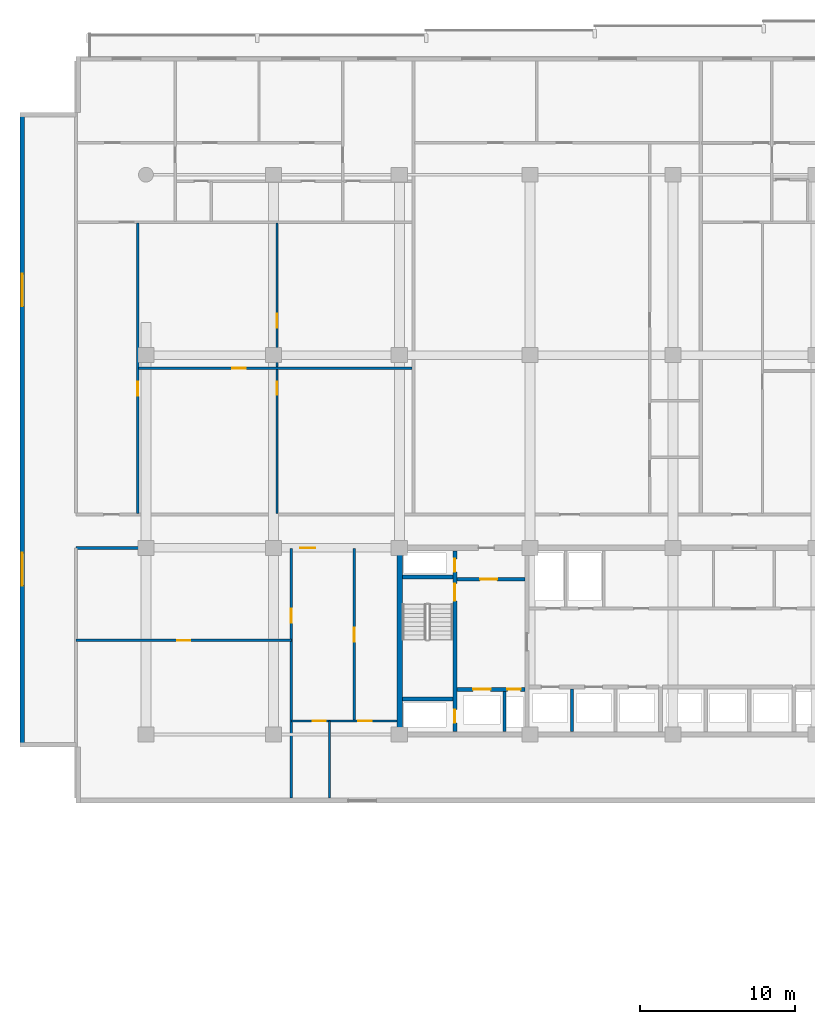
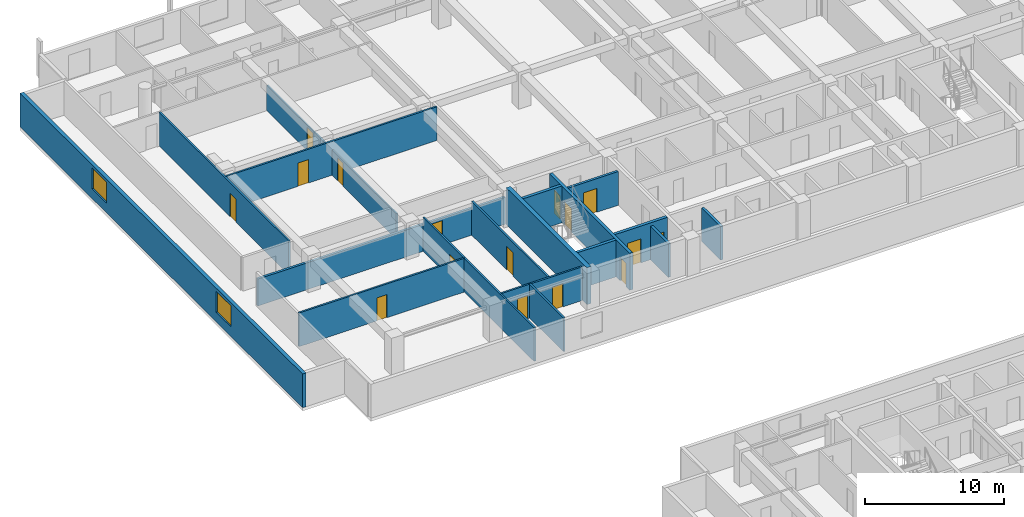
# One storey, part 10 of 23: 18 walls, 16 doors, 2 windows, 18 openings.
"""IFC4 building model written with IfcOpenShell, lengths in metres."""

from ifc_helpers import new_model, si_unit, direction, frame, frame_2d, origin, place, context, subcontext, project, spatial, rectangle, extrude, material, layer, layer_set, type_object, element, fill, save


model = new_model("IFC4")

# Units and contexts
model_context = context("Model", 3, precision=1e-05, world=origin(), true_north=direction((0.0, 1.0)))
body_context = subcontext(model_context, "Body", "Model", "MODEL_VIEW")
ifc_project = project(units=[si_unit("LENGTHUNIT", "METRE"), si_unit("AREAUNIT", "SQUARE_METRE"), si_unit("VOLUMEUNIT", "CUBIC_METRE"), si_unit("PLANEANGLEUNIT", "RADIAN"), si_unit("MASSUNIT", "GRAM", prefix="KILO")], contexts=[model_context])

# Site, building, storey
site_placement = place(None, origin())
site = spatial("IfcSite", under=ifc_project, at=site_placement, CompositionType="ELEMENT")
building_placement = place(site_placement, origin())
building = spatial("IfcBuilding", under=site, at=building_placement, Name="Korimba Cascade Residences", CompositionType="ELEMENT")
storey_placement = place(building_placement, frame((0.0, 0.0, 56.5)))
storey = spatial("IfcBuildingStorey", under=building, at=storey_placement, Name="L15", CompositionType="ELEMENT", Elevation=56.5)

# Wall, openings, windows
ifc_material_1 = material(Name="Precast concrete C40/50", Category="concrete")
ifc_layer_1 = layer(ifc_material_1, 0.300048828125)
ifc_layer_set_1 = layer_set([ifc_layer_1], Name="Precast concrete C40/50")
wall_type_1 = type_object("IfcWallType", Name="EW-STONE-300", PredefinedType="STANDARD", material=ifc_layer_set_1)
wall_1_placement = place(storey_placement, frame((51.85009765625, 95.199951171875, 0.0), z_axis=(0.0, 0.0, 1.0), x_axis=(0.0, -1.0, 0.0)))
wall_1 = element("IfcWall", 1, at=wall_1_placement, inside=storey, type_object=wall_type_1, Name="L15 T1 Perimeter Stone Wall E09", PredefinedType="STANDARD", context=body_context, shape_type="SweptSolid", body=[
    extrude(rectangle(XDim=40.800048828125, YDim=0.300048828125, at=frame_2d((20.39990234375, 0.0))), origin(), (0.0, 0.0, 1.0), 2.969970703125),
])
opening_1_placement = place(wall_1_placement, frame((10.3740234375, 0.0, 0.85009765625)))
opening_1 = element("IfcOpeningElement", 2, at=opening_1_placement, cuts=wall_1, Name="Opening W-03", PredefinedType="OPENING", context=body_context, shape_type="SweptSolid", body=[
    extrude(rectangle(XDim=2.10009765625, YDim=1.85009765625, at=frame_2d((1.050048828125, 0.925048828125))), frame((0.0, 0.16015625, 0.0), z_axis=(0.0, -1.0, 0.0), x_axis=(1.0, 0.0, 0.0)), (0.0, 0.0, 1.0), 0.320068359375),
])
opening_2_placement = place(wall_1_placement, frame((28.325927734375, 0.0, 0.85009765625)))
opening_2 = element("IfcOpeningElement", 3, at=opening_2_placement, cuts=wall_1, Name="Opening W-03", PredefinedType="OPENING", context=body_context, shape_type="SweptSolid", body=[
    extrude(rectangle(XDim=2.10009765625, YDim=1.85009765625, at=frame_2d((1.050048828125, 0.925048828125))), frame((0.0, 0.16015625, 0.0), z_axis=(0.0, -1.0, 0.0), x_axis=(1.0, 0.0, 0.0)), (0.0, 0.0, 1.0), 0.320068359375),
])
ifc_material_2 = material(Name="Double-Glazed Aluminium Window", Category="aluminium")
window_type = type_object("IfcWindowType", Name="WIN-CRN-2100", PartitioningType="DOUBLE_PANEL_HORIZONTAL", PredefinedType="WINDOW", material=ifc_material_2)
window_1_placement = place(opening_1_placement, origin())
window_1 = element("IfcWindow", 4, at=window_1_placement, inside=storey, type_object=window_type, Name="L15 T1 End View Window 9.1", OverallHeight=1.85009765625, OverallWidth=2.10009765625, PartitioningType="DOUBLE_PANEL_HORIZONTAL", PredefinedType="WINDOW", context=body_context, shape_type="SweptSolid", body=[
    extrude(rectangle(XDim=2.10009765625, YDim=1.85009765625, at=frame_2d((1.050048828125, 0.925048828125))), frame((0.0, 0.030029296875, 0.0), z_axis=(0.0, -1.0, 0.0), x_axis=(1.0, 0.0, 0.0)), (0.0, 0.0, 1.0), 0.06005859375),
])
fill(opening_1, window_1)
window_2_placement = place(opening_2_placement, origin())
window_2 = element("IfcWindow", 5, at=window_2_placement, inside=storey, type_object=window_type, Name="L15 T1 End View Window 9.2", OverallHeight=1.85009765625, OverallWidth=2.10009765625, PartitioningType="DOUBLE_PANEL_HORIZONTAL", PredefinedType="WINDOW", context=body_context, shape_type="SweptSolid", body=[
    extrude(rectangle(XDim=2.10009765625, YDim=1.85009765625, at=frame_2d((1.050048828125, 0.925048828125))), frame((0.0, 0.030029296875, 0.0), z_axis=(0.0, -1.0, 0.0), x_axis=(1.0, 0.0, 0.0)), (0.0, 0.0, 1.0), 0.06005859375),
])
fill(opening_2, window_2)

# Wall
ifc_material_3 = material(Name="Concrete C65/80", Category="concrete")
ifc_layer_2 = layer(ifc_material_3, 0.35009765625)
ifc_layer_set_2 = layer_set([ifc_layer_2], Name="Concrete C65/80")
wall_type_2 = type_object("IfcWallType", Name="WAL-CORE-350", PredefinedType="SHEAR", material=ifc_layer_set_2)
wall_2_placement = place(storey_placement, frame((76.125, 55.375, 0.0), z_axis=(0.0, 0.0, 1.0), x_axis=(0.0, 1.0, 0.0)))
element("IfcWall", 6, at=wall_2_placement, inside=storey, type_object=wall_type_2, Name="L15 Core Shear Wall CW-L15-T1-W", PredefinedType="SHEAR", context=body_context, shape_type="SweptSolid", body=[
    extrude(rectangle(XDim=11.64990234375, YDim=0.35009765625, at=frame_2d((5.824951171875, 0.0))), origin(), (0.0, 0.0, 1.0), 3.25),
])

# Wall, opening, door
ifc_layer_3 = layer(ifc_material_1, 0.199951171875)
ifc_layer_set_3 = layer_set([ifc_layer_3], Name="Precast concrete C40/50")
wall_type_3 = type_object("IfcWallType", Name="WAL-IT-200", PredefinedType="PARTITIONING", material=ifc_layer_set_3)
wall_3_placement = place(storey_placement, frame((55.300048828125, 67.199951171875, 0.0), z_axis=(0.0, 0.0, 1.0), x_axis=(1.0, 0.0, 0.0)))
wall_3 = element("IfcWall", 7, at=wall_3_placement, inside=storey, type_object=wall_type_3, Name="L15 Partition Wall WAL-L15-T1-FW-N", PredefinedType="PARTITIONING", context=body_context, shape_type="SweptSolid", body=[
    extrude(rectangle(XDim=20.64990234375, YDim=0.199951171875, at=frame_2d((10.324951171875, 0.0))), origin(), (0.0, 0.0, 1.0), 2.3701171875),
])
opening_3_placement = place(wall_3_placement, frame((14.426025390625, 0.0, 0.0)))
opening_3 = element("IfcOpeningElement", 8, at=opening_3_placement, cuts=wall_3, Name="Opening D-UN1", PredefinedType="OPENING", context=body_context, shape_type="SweptSolid", body=[
    extrude(rectangle(XDim=0.949951171875, YDim=2.14990234375, at=frame_2d((0.47509765625, 1.074951171875))), frame((0.0, 0.10986328125, 0.0), z_axis=(0.0, -1.0, 0.0), x_axis=(1.0, 0.0, 0.0)), (0.0, 0.0, 1.0), 0.219970703125),
])
ifc_material_4 = material(Name="Fire-Rated Hardwood Apartment Entrance Door", Category="wood")
door_type_1 = type_object("IfcDoorType", Name="DR-FD60-950", OperationType="NOTDEFINED", PredefinedType="DOOR", material=ifc_material_4)
door_1_placement = place(opening_3_placement, origin())
door_1 = element("IfcDoor", 9, at=door_1_placement, inside=storey, type_object=door_type_1, Name="L15-T1-FW Entrance Door", OperationType="SINGLE_SWING_LEFT", OverallHeight=2.14990234375, OverallWidth=0.949951171875, PredefinedType="DOOR", context=body_context, shape_type="SweptSolid", body=[
    extrude(rectangle(XDim=0.949951171875, YDim=2.14990234375, at=frame_2d((0.47509765625, 1.074951171875))), frame((0.0, 0.02490234375, 0.0), z_axis=(0.0, -1.0, 0.0), x_axis=(1.0, 0.0, 0.0)), (0.0, 0.0, 1.0), 0.050048828125),
])
fill(opening_3, door_1)

ifc_material_5 = material(Name="Insulated Acoustic Stud Partition", Category="gypsum")
ifc_layer_4 = layer(ifc_material_5, 0.14990234375)
ifc_layer_set_4 = layer_set([ifc_layer_4], Name="Insulated Acoustic Stud Partition")
wall_type_4 = type_object("IfcWallType", Name="WAL-PART-150", PredefinedType="PARTITIONING", material=ifc_layer_set_4)
wall_4_placement = place(storey_placement, frame((55.300048828125, 61.25, 0.0), z_axis=(0.0, 0.0, 1.0), x_axis=(1.0, 0.0, 0.0)))
wall_4 = element("IfcWall", 10, at=wall_4_placement, inside=storey, type_object=wall_type_4, Name="L15 Partition Wall WAL-L15-T1-FW-STH", PredefinedType="PARTITIONING", context=body_context, shape_type="SweptSolid", body=[
    extrude(rectangle(XDim=13.849853515625, YDim=0.14990234375, at=frame_2d((6.9248046875, 0.0))), origin(), (0.0, 0.0, 1.0), 2.969970703125),
])
opening_4_placement = place(wall_4_placement, frame((6.5048828125, 0.0, 0.0)))
opening_4 = element("IfcOpeningElement", 11, at=opening_4_placement, cuts=wall_4, Name="Opening D-BT1", PredefinedType="OPENING", context=body_context, shape_type="SweptSolid", body=[
    extrude(rectangle(XDim=0.840087890625, YDim=2.0400390625, at=frame_2d((0.419921875, 1.02001953125))), frame((0.0, 0.0849609375, 0.0), z_axis=(0.0, -1.0, 0.0), x_axis=(1.0, 0.0, 0.0)), (0.0, 0.0, 1.0), 0.169921875),
])
ifc_material_6 = material(Name="Moisture-Resistant Bathroom Timber Door", Category="wood")
door_type_2 = type_object("IfcDoorType", Name="DR-INT-850", OperationType="NOTDEFINED", PredefinedType="DOOR", material=ifc_material_6)
door_2_placement = place(opening_4_placement, origin())
door_2 = element("IfcDoor", 12, at=door_2_placement, inside=storey, type_object=door_type_2, Name="L15-T1-FW Dressing Store Door", OperationType="SINGLE_SWING_RIGHT", OverallHeight=2.0400390625, OverallWidth=0.840087890625, PredefinedType="DOOR", context=body_context, shape_type="SweptSolid", body=[
    extrude(rectangle(XDim=0.840087890625, YDim=2.0400390625, at=frame_2d((0.419921875, 1.02001953125))), frame((0.0, 0.02490234375, 0.0), z_axis=(0.0, -1.0, 0.0), x_axis=(1.0, 0.0, 0.0)), (0.0, 0.0, 1.0), 0.050048828125),
])
fill(opening_4, door_2)

wall_5_placement = place(storey_placement, frame((69.14990234375, 51.10009765625, 0.0), z_axis=(0.0, 0.0, 1.0), x_axis=(0.0, 1.0, 0.0)))
wall_5 = element("IfcWall", 13, at=wall_5_placement, inside=storey, type_object=wall_type_4, Name="L15 Partition Wall WAL-L15-T1-FW-STV", PredefinedType="PARTITIONING", context=body_context, shape_type="SweptSolid", body=[
    extrude(rectangle(XDim=16.0498046875, YDim=0.14990234375, at=frame_2d((8.02490234375, 0.0))), origin(), (0.0, 0.0, 1.0), 2.969970703125),
])
opening_5_placement = place(wall_5_placement, frame((11.300048828125, 0.0, 0.0)))
opening_5 = element("IfcOpeningElement", 14, at=opening_5_placement, cuts=wall_5, Name="Opening D-IN2", PredefinedType="OPENING", context=body_context, shape_type="SweptSolid", body=[
    extrude(rectangle(XDim=0.8798828125, YDim=2.06005859375, at=frame_2d((0.43994140625, 1.030029296875))), frame((0.0, 0.0849609375, 0.0), z_axis=(0.0, -1.0, 0.0), x_axis=(1.0, 0.0, 0.0)), (0.0, 0.0, 1.0), 0.169921875),
])
ifc_material_7 = material(Name="Acoustic Timber Bedroom Door", Category="wood")
door_type_3 = type_object("IfcDoorType", Name="DR-INT-880", OperationType="NOTDEFINED", PredefinedType="DOOR", material=ifc_material_7)
door_3_placement = place(opening_5_placement, origin())
door_3 = element("IfcDoor", 15, at=door_3_placement, inside=storey, type_object=door_type_3, Name="L15-T1-FW Study Door", OperationType="SINGLE_SWING_LEFT", OverallHeight=2.06005859375, OverallWidth=0.8798828125, PredefinedType="DOOR", context=body_context, shape_type="SweptSolid", body=[
    extrude(rectangle(XDim=0.8798828125, YDim=2.06005859375, at=frame_2d((0.43994140625, 1.030029296875))), frame((0.0, 0.02490234375, 0.0), z_axis=(0.0, -1.0, 0.0), x_axis=(1.0, 0.0, 0.0)), (0.0, 0.0, 1.0), 0.050048828125),
])
fill(opening_5, door_3)

wall_6_placement = place(storey_placement, frame((73.199951171875, 56.070068359375, 0.0), z_axis=(0.0, 0.0, 1.0), x_axis=(0.0, 1.0, 0.0)))
wall_6 = element("IfcWall", 16, at=wall_6_placement, inside=storey, type_object=wall_type_4, Name="L15 Partition Wall WAL-L15-T1-FW-VN", PredefinedType="PARTITIONING", context=body_context, shape_type="SweptSolid", body=[
    extrude(rectangle(XDim=11.079833984375, YDim=0.14990234375, at=frame_2d((5.5400390625, 0.0))), origin(), (0.0, 0.0, 1.0), 2.969970703125),
])
opening_6_placement = place(wall_6_placement, frame((5.080078125, 0.0, 0.0)))
opening_6 = element("IfcOpeningElement", 17, at=opening_6_placement, cuts=wall_6, Name="Opening D-IN1", PredefinedType="OPENING", context=body_context, shape_type="SweptSolid", body=[
    extrude(rectangle(XDim=0.919921875, YDim=2.080078125, at=frame_2d((0.4599609375, 1.0400390625))), frame((0.0, 0.0849609375, 0.0), z_axis=(0.0, -1.0, 0.0), x_axis=(1.0, 0.0, 0.0)), (0.0, 0.0, 1.0), 0.169921875),
])
ifc_material_8 = material(Name="Acoustic Timber Living Door", Category="wood")
door_type_4 = type_object("IfcDoorType", Name="DR-INT-920", OperationType="NOTDEFINED", PredefinedType="DOOR", material=ifc_material_8)
door_4_placement = place(opening_6_placement, origin())
door_4 = element("IfcDoor", 18, at=door_4_placement, inside=storey, type_object=door_type_4, Name="L15-T1-FW Living Door", OperationType="SINGLE_SWING_RIGHT", OverallHeight=2.080078125, OverallWidth=0.919921875, PredefinedType="DOOR", context=body_context, shape_type="SweptSolid", body=[
    extrude(rectangle(XDim=0.919921875, YDim=2.080078125, at=frame_2d((0.4599609375, 1.0400390625))), frame((0.0, 0.02490234375, 0.0), z_axis=(0.0, -1.0, 0.0), x_axis=(1.0, 0.0, 0.0)), (0.0, 0.0, 1.0), 0.050048828125),
])
fill(opening_6, door_4)

# Wall
wall_7_placement = place(storey_placement, frame((71.60009765625, 51.10009765625, 0.0), z_axis=(0.0, 0.0, 1.0), x_axis=(0.0, 1.0, 0.0)))
element("IfcWall", 19, at=wall_7_placement, inside=storey, type_object=wall_type_4, Name="L15 Partition Wall WAL-L15-T1-FW-VS", PredefinedType="PARTITIONING", context=body_context, shape_type="SweptSolid", body=[
    extrude(rectangle(XDim=4.969970703125, YDim=0.14990234375, at=frame_2d((2.48486328125, 0.0))), origin(), (0.0, 0.0, 1.0), 2.969970703125),
])

# Wall, openings, doors
wall_8_placement = place(storey_placement, frame((69.169921875, 56.070068359375, 0.0), z_axis=(0.0, 0.0, 1.0), x_axis=(1.0, 0.0, 0.0)))
wall_8 = element("IfcWall", 20, at=wall_8_placement, inside=storey, type_object=wall_type_4, Name="L15 Partition Wall WAL-L15-T1-FW-H", PredefinedType="PARTITIONING", context=body_context, shape_type="SweptSolid", body=[
    extrude(rectangle(XDim=6.760009765625, YDim=0.14990234375, at=frame_2d((3.3798828125, 0.0))), origin(), (0.0, 0.0, 1.0), 2.969970703125),
])
opening_7_placement = place(wall_8_placement, frame((1.3623046875, 0.0, 0.0)))
opening_7 = element("IfcOpeningElement", 21, at=opening_7_placement, cuts=wall_8, Name="Opening D-BT1", PredefinedType="OPENING", context=body_context, shape_type="SweptSolid", body=[
    extrude(rectangle(XDim=0.840087890625, YDim=2.0400390625, at=frame_2d((0.419921875, 1.02001953125))), frame((0.0, 0.0849609375, 0.0), z_axis=(0.0, -1.0, 0.0), x_axis=(1.0, 0.0, 0.0)), (0.0, 0.0, 1.0), 0.169921875),
])
opening_8_placement = place(wall_8_placement, frame((4.276611328125, 0.0, 0.0)))
opening_8 = element("IfcOpeningElement", 22, at=opening_8_placement, cuts=wall_8, Name="Opening D-IN2", PredefinedType="OPENING", context=body_context, shape_type="SweptSolid", body=[
    extrude(rectangle(XDim=0.8798828125, YDim=2.06005859375, at=frame_2d((0.43994140625, 1.030029296875))), frame((0.0, 0.0849609375, 0.0), z_axis=(0.0, -1.0, 0.0), x_axis=(1.0, 0.0, 0.0)), (0.0, 0.0, 1.0), 0.169921875),
])
door_5_placement = place(opening_7_placement, origin())
door_5 = element("IfcDoor", 23, at=door_5_placement, inside=storey, type_object=door_type_2, Name="L15-T1-FW Bathroom Door", OperationType="SINGLE_SWING_LEFT", OverallHeight=2.0400390625, OverallWidth=0.840087890625, PredefinedType="DOOR", context=body_context, shape_type="SweptSolid", body=[
    extrude(rectangle(XDim=0.840087890625, YDim=2.0400390625, at=frame_2d((0.419921875, 1.02001953125))), frame((0.0, 0.02490234375, 0.0), z_axis=(0.0, -1.0, 0.0), x_axis=(1.0, 0.0, 0.0)), (0.0, 0.0, 1.0), 0.050048828125),
])
fill(opening_7, door_5)
door_6_placement = place(opening_8_placement, origin())
door_6 = element("IfcDoor", 24, at=door_6_placement, inside=storey, type_object=door_type_3, Name="L15-T1-FW Bedroom Door", OperationType="SINGLE_SWING_RIGHT", OverallHeight=2.06005859375, OverallWidth=0.8798828125, PredefinedType="DOOR", context=body_context, shape_type="SweptSolid", body=[
    extrude(rectangle(XDim=0.8798828125, YDim=2.06005859375, at=frame_2d((0.43994140625, 1.030029296875))), frame((0.0, 0.02490234375, 0.0), z_axis=(0.0, -1.0, 0.0), x_axis=(1.0, 0.0, 0.0)), (0.0, 0.0, 1.0), 0.050048828125),
])
fill(opening_8, door_6)

wall_9_placement = place(storey_placement, frame((68.226806640625, 69.409912109375, 0.0), z_axis=(0.0, 0.0, 1.0), x_axis=(0.0, 1.0, 0.0)))
wall_9 = element("IfcWall", 25, at=wall_9_placement, inside=storey, type_object=wall_type_4, Name="L15 Partition Wall WAL-L15-T1-U01-FMV", PredefinedType="PARTITIONING", context=body_context, shape_type="SweptSolid", body=[
    extrude(rectangle(XDim=18.7001953125, YDim=0.14990234375, at=frame_2d((9.35009765625, 0.0))), origin(), (0.0, 0.0, 1.0), 2.219970703125),
])
opening_9_placement = place(wall_9_placement, frame((7.627197265625, 0.0, 0.0)))
opening_9 = element("IfcOpeningElement", 26, at=opening_9_placement, cuts=wall_9, Name="Opening D-BT1", PredefinedType="OPENING", context=body_context, shape_type="SweptSolid", body=[
    extrude(rectangle(XDim=0.840087890625, YDim=2.0400390625, at=frame_2d((0.419921875, 1.02001953125))), frame((0.0, 0.0849609375, 0.0), z_axis=(0.0, -1.0, 0.0), x_axis=(1.0, 0.0, 0.0)), (0.0, 0.0, 1.0), 0.169921875),
])
opening_10_placement = place(wall_9_placement, frame((11.9609375, 0.0, 0.0)))
opening_10 = element("IfcOpeningElement", 27, at=opening_10_placement, cuts=wall_9, Name="Opening D-IN2", PredefinedType="OPENING", context=body_context, shape_type="SweptSolid", body=[
    extrude(rectangle(XDim=0.8798828125, YDim=2.06005859375, at=frame_2d((0.43994140625, 1.030029296875))), frame((0.0, 0.0849609375, 0.0), z_axis=(0.0, -1.0, 0.0), x_axis=(1.0, 0.0, 0.0)), (0.0, 0.0, 1.0), 0.169921875),
])
door_7_placement = place(opening_9_placement, origin())
door_7 = element("IfcDoor", 28, at=door_7_placement, inside=storey, type_object=door_type_2, Name="L15-T1-U01 Wardrobe Door", OperationType="SINGLE_SWING_RIGHT", OverallHeight=2.0400390625, OverallWidth=0.840087890625, PredefinedType="DOOR", context=body_context, shape_type="SweptSolid", body=[
    extrude(rectangle(XDim=0.840087890625, YDim=2.0400390625, at=frame_2d((0.419921875, 1.02001953125))), frame((0.0, 0.02490234375, 0.0), z_axis=(0.0, -1.0, 0.0), x_axis=(1.0, 0.0, 0.0)), (0.0, 0.0, 1.0), 0.050048828125),
])
fill(opening_9, door_7)
door_8_placement = place(opening_10_placement, origin())
door_8 = element("IfcDoor", 29, at=door_8_placement, inside=storey, type_object=door_type_3, Name="L15-T1-U01 Music Lounge Door", OperationType="SINGLE_SWING_LEFT", OverallHeight=2.06005859375, OverallWidth=0.8798828125, PredefinedType="DOOR", context=body_context, shape_type="SweptSolid", body=[
    extrude(rectangle(XDim=0.8798828125, YDim=2.06005859375, at=frame_2d((0.43994140625, 1.030029296875))), frame((0.0, 0.02490234375, 0.0), z_axis=(0.0, -1.0, 0.0), x_axis=(1.0, 0.0, 0.0)), (0.0, 0.0, 1.0), 0.050048828125),
])
fill(opening_10, door_8)

# Wall, opening, door
wall_10_placement = place(storey_placement, frame((59.330078125, 78.760009765625, 0.0), z_axis=(0.0, 0.0, 1.0), x_axis=(1.0, 0.0, 0.0)))
wall_10 = element("IfcWall", 30, at=wall_10_placement, inside=storey, type_object=wall_type_4, Name="L15 Partition Wall WAL-L15-T1-U01-FMH", PredefinedType="PARTITIONING", context=body_context, shape_type="SweptSolid", body=[
    extrude(rectangle(XDim=17.593505859375, YDim=0.14990234375, at=frame_2d((8.796875, 0.0))), origin(), (0.0, 0.0, 1.0), 2.969970703125),
])
opening_11_placement = place(wall_10_placement, frame((6.009521484375, 0.0, 0.0)))
opening_11 = element("IfcOpeningElement", 31, at=opening_11_placement, cuts=wall_10, Name="Opening D-IN2", PredefinedType="OPENING", context=body_context, shape_type="SweptSolid", body=[
    extrude(rectangle(XDim=0.8798828125, YDim=2.06005859375, at=frame_2d((0.43994140625, 1.030029296875))), frame((0.0, 0.0849609375, 0.0), z_axis=(0.0, -1.0, 0.0), x_axis=(1.0, 0.0, 0.0)), (0.0, 0.0, 1.0), 0.169921875),
])
door_9_placement = place(opening_11_placement, origin())
door_9 = element("IfcDoor", 32, at=door_9_placement, inside=storey, type_object=door_type_3, Name="L15-T1-U01 Library Salon Door", OperationType="SINGLE_SWING_RIGHT", OverallHeight=2.06005859375, OverallWidth=0.8798828125, PredefinedType="DOOR", context=body_context, shape_type="SweptSolid", body=[
    extrude(rectangle(XDim=0.8798828125, YDim=2.06005859375, at=frame_2d((0.43994140625, 1.030029296875))), frame((0.0, 0.02490234375, 0.0), z_axis=(0.0, -1.0, 0.0), x_axis=(1.0, 0.0, 0.0)), (0.0, 0.0, 1.0), 0.050048828125),
])
fill(opening_11, door_9)

wall_11_placement = place(storey_placement, frame((59.27001953125, 69.409912109375, 0.0), z_axis=(0.0, 0.0, 1.0), x_axis=(0.0, 1.0, 0.0)))
wall_11 = element("IfcWall", 33, at=wall_11_placement, inside=storey, type_object=wall_type_4, Name="L15 Partition Wall WAL-L15-T1-U01-FV", PredefinedType="PARTITIONING", context=body_context, shape_type="SweptSolid", body=[
    extrude(rectangle(XDim=18.7001953125, YDim=0.14990234375, at=frame_2d((9.35009765625, 0.0))), origin(), (0.0, 0.0, 1.0), 2.969970703125),
])
opening_12_placement = place(wall_11_placement, frame((7.59033203125, 0.0, 0.0)))
opening_12 = element("IfcOpeningElement", 34, at=opening_12_placement, cuts=wall_11, Name="Opening D-IN2", PredefinedType="OPENING", context=body_context, shape_type="SweptSolid", body=[
    extrude(rectangle(XDim=0.8798828125, YDim=2.06005859375, at=frame_2d((0.43994140625, 1.030029296875))), frame((0.0, 0.0849609375, 0.0), z_axis=(0.0, -1.0, 0.0), x_axis=(1.0, 0.0, 0.0)), (0.0, 0.0, 1.0), 0.169921875),
])
door_10_placement = place(opening_12_placement, origin())
door_10 = element("IfcDoor", 35, at=door_10_placement, inside=storey, type_object=door_type_3, Name="L15-T1-U01 Media Lounge Door", OperationType="SINGLE_SWING_LEFT", OverallHeight=2.06005859375, OverallWidth=0.8798828125, PredefinedType="DOOR", context=body_context, shape_type="SweptSolid", body=[
    extrude(rectangle(XDim=0.8798828125, YDim=2.06005859375, at=frame_2d((0.43994140625, 1.030029296875))), frame((0.0, 0.02490234375, 0.0), z_axis=(0.0, -1.0, 0.0), x_axis=(1.0, 0.0, 0.0)), (0.0, 0.0, 1.0), 0.050048828125),
])
fill(opening_12, door_10)

# Wall
ifc_material_9 = material(Name="Concrete C40/50", Category="concrete")
ifc_layer_5 = layer(ifc_material_9, 0.199951171875)
ifc_layer_set_5 = layer_set([ifc_layer_5], Name="Concrete C40/50")
wall_type_5 = type_object("IfcWallType", Name="WAL-PART-200", PredefinedType="PARTITIONING", material=ifc_layer_set_5)
wall_12_placement = place(storey_placement, frame((82.85009765625, 55.39990234375, 0.0), z_axis=(0.0, 0.0, 1.0), x_axis=(0.0, 1.0, 0.0)))
element("IfcWall", 36, at=wall_12_placement, inside=storey, type_object=wall_type_5, Name="L15 Partition Wall CW-L15-T1-FFLDIV", PredefinedType="PARTITIONING", context=body_context, shape_type="SweptSolid", body=[
    extrude(rectangle(XDim=2.56005859375, YDim=0.199951171875, at=frame_2d((1.280029296875, 0.0))), origin(), (0.0, 0.0, 1.0), 2.969970703125),
])

# Wall, opening, door
wall_13_placement = place(storey_placement, frame((79.7900390625, 65.179931640625, 0.0), z_axis=(0.0, 0.0, 1.0), x_axis=(1.0, 0.0, 0.0)))
wall_13 = element("IfcWall", 37, at=wall_13_placement, inside=storey, type_object=wall_type_5, Name="L15 Partition Wall CW-L15-T1-FFLN", PredefinedType="PARTITIONING", context=body_context, shape_type="SweptSolid", body=[
    extrude(rectangle(XDim=4.389892578125, YDim=0.199951171875, at=frame_2d((2.19482421875, 0.0))), origin(), (0.0, 0.0, 1.0), 2.969970703125),
])
opening_13_placement = place(wall_13_placement, frame((1.5, 0.0, 0.0)))
opening_13 = element("IfcOpeningElement", 38, at=opening_13_placement, cuts=wall_13, Name="Opening D-FD1", PredefinedType="OPENING", context=body_context, shape_type="SweptSolid", body=[
    extrude(rectangle(XDim=1.10009765625, YDim=2.10009765625, at=frame_2d((0.550048828125, 1.050048828125))), frame((0.0, 0.10986328125, 0.0), z_axis=(0.0, -1.0, 0.0), x_axis=(1.0, 0.0, 0.0)), (0.0, 0.0, 1.0), 0.219970703125),
])
ifc_material_10 = material(Name="Fire-Rated Steel Core Door", Category="steel")
door_type_5 = type_object("IfcDoorType", Name="DR-FD120-1100", OperationType="NOTDEFINED", PredefinedType="DOOR", material=ifc_material_10)
door_11_placement = place(opening_13_placement, origin())
door_11 = element("IfcDoor", 39, at=door_11_placement, inside=storey, type_object=door_type_5, Name="L15 West Firefighting Lobby Door", OperationType="SINGLE_SWING_RIGHT", OverallHeight=2.10009765625, OverallWidth=1.10009765625, PredefinedType="DOOR", context=body_context, shape_type="SweptSolid", body=[
    extrude(rectangle(XDim=1.10009765625, YDim=2.10009765625, at=frame_2d((0.550048828125, 1.050048828125))), frame((0.0, 0.02490234375, 0.0), z_axis=(0.0, -1.0, 0.0), x_axis=(1.0, 0.0, 0.0)), (0.0, 0.0, 1.0), 0.050048828125),
])
fill(opening_13, door_11)

# Wall
wall_14_placement = place(storey_placement, frame((87.199951171875, 55.39990234375, 0.0), z_axis=(0.0, 0.0, 1.0), x_axis=(0.0, 1.0, 0.0)))
element("IfcWall", 40, at=wall_14_placement, inside=storey, type_object=wall_type_5, Name="L15 Partition Wall CW-L15-T1-B1D1", PredefinedType="PARTITIONING", context=body_context, shape_type="SweptSolid", body=[
    extrude(rectangle(XDim=2.72021484375, YDim=0.199951171875, at=frame_2d((1.360107421875, 0.0))), origin(), (0.0, 0.0, 1.0), 2.969970703125),
])

# Wall, openings, doors
ifc_material_11 = material(Name="Concrete C50/60", Category="concrete")
ifc_layer_6 = layer(ifc_material_11, 0.25)
ifc_layer_set_6 = layer_set([ifc_layer_6], Name="Concrete C50/60")
wall_type_6 = type_object("IfcWallType", Name="WAL-SHAFT-250", PredefinedType="SHEAR", material=ifc_layer_set_6)
wall_15_placement = place(storey_placement, frame((79.6650390625, 55.39990234375, 0.0), z_axis=(0.0, 0.0, 1.0), x_axis=(0.0, 1.0, 0.0)))
wall_15 = element("IfcWall", 41, at=wall_15_placement, inside=storey, type_object=wall_type_6, Name="L15 Core Shear Wall CW-L15-T1-STW1E", PredefinedType="SHEAR", context=body_context, shape_type="SweptSolid", body=[
    extrude(rectangle(XDim=11.60009765625, YDim=0.25, at=frame_2d((5.800048828125, 0.0))), origin(), (0.0, 0.0, 1.0), 3.25),
])
opening_14_placement = place(wall_15_placement, frame((0.550048828125, 0.0, 0.0)))
opening_14 = element("IfcOpeningElement", 42, at=opening_14_placement, cuts=wall_15, Name="Opening D-RS1", PredefinedType="OPENING", context=body_context, shape_type="SweptSolid", body=[
    extrude(rectangle(XDim=0.85009765625, YDim=2.050048828125, at=frame_2d((0.425048828125, 1.02490234375))), frame((0.0, 0.135009765625, 0.0), z_axis=(0.0, -1.0, 0.0), x_axis=(1.0, 0.0, 0.0)), (0.0, 0.0, 1.0), 0.27001953125),
])
opening_15_placement = place(wall_15_placement, frame((8.39990234375, 0.0, 0.0)))
opening_15 = element("IfcOpeningElement", 43, at=opening_15_placement, cuts=wall_15, Name="Opening D-FD1", PredefinedType="OPENING", context=body_context, shape_type="SweptSolid", body=[
    extrude(rectangle(XDim=1.10009765625, YDim=2.10009765625, at=frame_2d((0.550048828125, 1.050048828125))), frame((0.0, 0.135009765625, 0.0), z_axis=(0.0, -1.0, 0.0), x_axis=(1.0, 0.0, 0.0)), (0.0, 0.0, 1.0), 0.27001953125),
])
opening_16_placement = place(wall_15_placement, frame((10.25, 0.0, 0.0)))
opening_16 = element("IfcOpeningElement", 44, at=opening_16_placement, cuts=wall_15, Name="Opening D-RS1", PredefinedType="OPENING", context=body_context, shape_type="SweptSolid", body=[
    extrude(rectangle(XDim=0.85009765625, YDim=2.050048828125, at=frame_2d((0.425048828125, 1.02490234375))), frame((0.0, 0.135009765625, 0.0), z_axis=(0.0, -1.0, 0.0), x_axis=(1.0, 0.0, 0.0)), (0.0, 0.0, 1.0), 0.27001953125),
])
door_12_placement = place(opening_15_placement, origin())
door_12 = element("IfcDoor", 45, at=door_12_placement, inside=storey, type_object=door_type_5, Name="L15 Fire Stair ST-W1 Door", OperationType="SINGLE_SWING_LEFT", OverallHeight=2.10009765625, OverallWidth=1.10009765625, PredefinedType="DOOR", context=body_context, shape_type="SweptSolid", body=[
    extrude(rectangle(XDim=1.10009765625, YDim=2.10009765625, at=frame_2d((0.550048828125, 1.050048828125))), frame((0.0, 0.02490234375, 0.0), z_axis=(0.0, -1.0, 0.0), x_axis=(1.0, 0.0, 0.0)), (0.0, 0.0, 1.0), 0.050048828125),
])
fill(opening_15, door_12)
ifc_material_12 = material(Name="Fire-Rated Steel Riser Access Door", Category="steel")
door_type_6 = type_object("IfcDoorType", Name="DR-FD60-850", OperationType="NOTDEFINED", PredefinedType="DOOR", material=ifc_material_12)
door_13_placement = place(opening_14_placement, origin())
door_13 = element("IfcDoor", 46, at=door_13_placement, inside=storey, type_object=door_type_6, Name="L15 Smoke Riser Access Door", OperationType="SINGLE_SWING_RIGHT", OverallHeight=2.050048828125, OverallWidth=0.85009765625, PredefinedType="DOOR", context=body_context, shape_type="SweptSolid", body=[
    extrude(rectangle(XDim=0.85009765625, YDim=2.050048828125, at=frame_2d((0.425048828125, 1.02490234375))), frame((0.0, 0.02490234375, 0.0), z_axis=(0.0, -1.0, 0.0), x_axis=(1.0, 0.0, 0.0)), (0.0, 0.0, 1.0), 0.050048828125),
])
fill(opening_14, door_13)
door_14_placement = place(opening_16_placement, origin())
door_14 = element("IfcDoor", 47, at=door_14_placement, inside=storey, type_object=door_type_6, Name="L15 Hydrant Riser Access Door", OperationType="SINGLE_SWING_RIGHT", OverallHeight=2.050048828125, OverallWidth=0.85009765625, PredefinedType="DOOR", context=body_context, shape_type="SweptSolid", body=[
    extrude(rectangle(XDim=0.85009765625, YDim=2.050048828125, at=frame_2d((0.425048828125, 1.02490234375))), frame((0.0, 0.02490234375, 0.0), z_axis=(0.0, -1.0, 0.0), x_axis=(1.0, 0.0, 0.0)), (0.0, 0.0, 1.0), 0.050048828125),
])
fill(opening_16, door_14)

# Walls
for number, where, z_axis, x_axis, name in (
    (48, (76.300048828125, 57.47509765625, 0.0), (0.0, 0.0, 1.0), (1.0, 0.0, 0.0), "L15 Core Shear Wall CW-L15-T1-STW1S"),
    (49, (76.300048828125, 65.324951171875, 0.0), (0.0, 0.0, 1.0), (1.0, 0.0, 0.0), "L15 Core Shear Wall CW-L15-T1-STW1N"),
):
    element("IfcWall", number, at=place(storey_placement, frame(where, z_axis=z_axis, x_axis=x_axis)), inside=storey, type_object=wall_type_6, Name=name, PredefinedType="SHEAR", context=body_context, shape_type="SweptSolid", body=[
        extrude(rectangle(XDim=3.239990234375, YDim=0.25, at=frame_2d((1.6201171875, 0.0))), origin(), (0.0, 0.0, 1.0), 3.25),
    ])

# Wall, openings, doors
wall_16_placement = place(storey_placement, frame((79.7900390625, 58.10009765625, 0.0), z_axis=(0.0, 0.0, 1.0), x_axis=(1.0, 0.0, 0.0)))
wall_16 = element("IfcWall", 50, at=wall_16_placement, inside=storey, type_object=wall_type_6, Name="L15 Core Shear Wall CW-L15-T1-FFLS", PredefinedType="SHEAR", context=body_context, shape_type="SweptSolid", body=[
    extrude(rectangle(XDim=4.389892578125, YDim=0.25, at=frame_2d((2.19482421875, 0.0))), origin(), (0.0, 0.0, 1.0), 3.25),
])
opening_17_placement = place(wall_16_placement, frame((1.050048828125, 0.0, 0.0)))
opening_17 = element("IfcOpeningElement", 51, at=opening_17_placement, cuts=wall_16, Name="Opening LD-01", PredefinedType="OPENING", context=body_context, shape_type="SweptSolid", body=[
    extrude(rectangle(XDim=1.1201171875, YDim=2.1201171875, at=frame_2d((0.56005859375, 1.06005859375))), frame((0.0, 0.135009765625, 0.0), z_axis=(0.0, -1.0, 0.0), x_axis=(1.0, 0.0, 0.0)), (0.0, 0.0, 1.0), 0.27001953125),
])
opening_18_placement = place(wall_16_placement, frame((3.260009765625, 0.0, 0.0)))
opening_18 = element("IfcOpeningElement", 52, at=opening_18_placement, cuts=wall_16, Name="Opening D-RS1", PredefinedType="OPENING", context=body_context, shape_type="SweptSolid", body=[
    extrude(rectangle(XDim=0.85009765625, YDim=2.050048828125, at=frame_2d((0.425048828125, 1.02490234375))), frame((0.0, 0.135009765625, 0.0), z_axis=(0.0, -1.0, 0.0), x_axis=(1.0, 0.0, 0.0)), (0.0, 0.0, 1.0), 0.27001953125),
])
door_15_placement = place(opening_18_placement, origin())
door_15 = element("IfcDoor", 53, at=door_15_placement, inside=storey, type_object=door_type_6, Name="L15 Pressurisation Riser Door", OperationType="SINGLE_SWING_LEFT", OverallHeight=2.050048828125, OverallWidth=0.85009765625, PredefinedType="DOOR", context=body_context, shape_type="SweptSolid", body=[
    extrude(rectangle(XDim=0.85009765625, YDim=2.050048828125, at=frame_2d((0.425048828125, 1.02490234375))), frame((0.0, 0.02490234375, 0.0), z_axis=(0.0, -1.0, 0.0), x_axis=(1.0, 0.0, 0.0)), (0.0, 0.0, 1.0), 0.050048828125),
])
fill(opening_18, door_15)
ifc_material_13 = material(Name="Stainless Steel Lift Landing Sliding Door", Category="steel")
door_type_7 = type_object("IfcDoorType", Name="DR-LIFT-1100", OperationType="NOTDEFINED", PredefinedType="DOOR", material=ifc_material_13)
door_16_placement = place(opening_17_placement, origin())
door_16 = element("IfcDoor", 54, at=door_16_placement, inside=storey, type_object=door_type_7, Name="L15 Firefighting Lift Landing Door FFL-W1", OperationType="SLIDING_TO_LEFT", OverallHeight=2.1201171875, OverallWidth=1.1201171875, PredefinedType="DOOR", context=body_context, shape_type="SweptSolid", body=[
    extrude(rectangle(XDim=1.1201171875, YDim=2.1201171875, at=frame_2d((0.56005859375, 1.06005859375))), frame((0.0, 0.02490234375, 0.0), z_axis=(0.0, -1.0, 0.0), x_axis=(1.0, 0.0, 0.0)), (0.0, 0.0, 1.0), 0.050048828125),
])
fill(opening_17, door_16)

save(model, "model.ifc")
